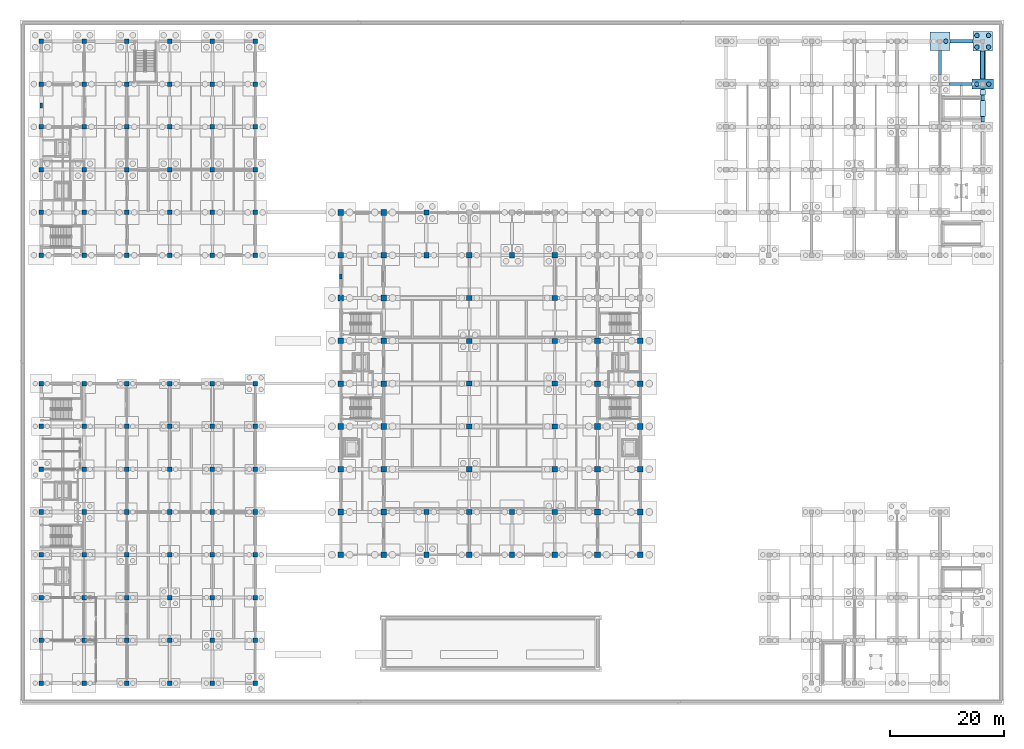
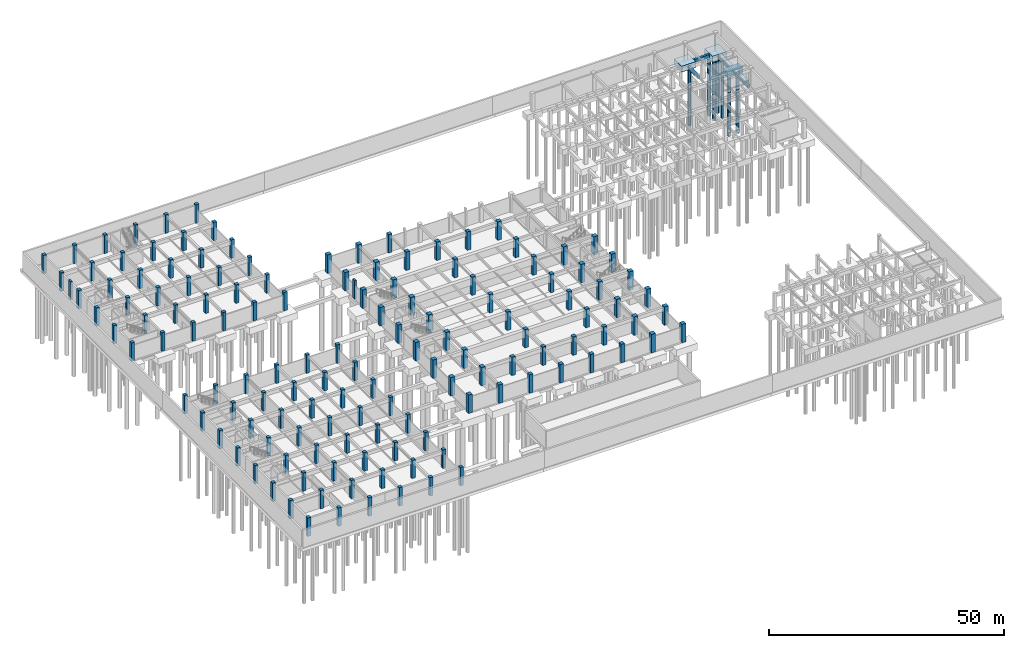
# One storey, part 13 of 38: 139 columns, 11 footings, 7 piles.
"""IFC4 building model written with IfcOpenShell, lengths in metres."""

from ifc_helpers import new_model, si_unit, direction, frame, origin, origin_2d, place, context, subcontext, project, spatial, polyline, rectangle, circle, outline, extrude, material, material_profile, profile_set, type_object, element, save


model = new_model("IFC4")

# Units and contexts
model_context = context("Model", 3, precision=1e-05, world=origin(), true_north=direction((0.0, 1.0)))
body_context = subcontext(model_context, "Body", "Model", "MODEL_VIEW")
ifc_project = project(units=[si_unit("LENGTHUNIT", "METRE"), si_unit("AREAUNIT", "SQUARE_METRE"), si_unit("VOLUMEUNIT", "CUBIC_METRE"), si_unit("PLANEANGLEUNIT", "RADIAN"), si_unit("MASSUNIT", "GRAM", prefix="KILO")], contexts=[model_context])

# Site, building, storey
site_placement = place(None, origin())
site = spatial("IfcSite", under=ifc_project, at=site_placement, CompositionType="ELEMENT")
building_placement = place(site_placement, origin())
building = spatial("IfcBuilding", under=site, at=building_placement, Name="Qasida Concert Hall", CompositionType="ELEMENT")
storey_placement = place(building_placement, frame((0.0, 0.0, -4.800048828125)))
storey = spatial("IfcBuildingStorey", under=building, at=storey_placement, Name="B1", CompositionType="ELEMENT", Elevation=-4.800048828125)

# Footings
ifc_material_1 = material(Name="Concrete C40/50", Category="concrete")
footing_type_1 = type_object("IfcFootingType", Name="FT-GB-1", PredefinedType="FOOTING_BEAM", material=ifc_material_1)
footing_1_placement = place(storey_placement, frame((0.0, 0.0, -1.169921875)))
element("IfcFooting", 1, at=footing_1_placement, inside=storey, type_object=footing_type_1, Name="Ground tie beam GB-1 172", PredefinedType="FOOTING_BEAM", context=body_context, shape_type="SweptSolid", body=[
    extrude(outline(polyline([(159.199951171875, 104.75), (163.10009765625, 104.75), (163.10009765625, 105.25), (159.199951171875, 105.25), (159.199951171875, 104.75)])), origin(), (0.0, 0.0, 1.0), 0.75),
])
footing_type_2 = type_object("IfcFootingType", Name="FT-GB-2", PredefinedType="FOOTING_BEAM", material=ifc_material_1)
footing_2_placement = place(storey_placement, frame((0.0, 0.0, -1.219970703125)))
element("IfcFooting", 2, at=footing_2_placement, inside=storey, type_object=footing_type_2, Name="Ground tie beam GB-2 361", PredefinedType="FOOTING_BEAM", context=body_context, shape_type="SweptSolid", body=[
    extrude(outline(polyline([(164.699951171875, 98.35009765625), (165.300048828125, 98.35009765625), (165.300048828125, 104.10009765625), (164.699951171875, 104.10009765625), (164.699951171875, 98.35009765625)])), origin(), (0.0, 0.0, 1.0), 0.800048828125),
])
footing_type_3 = type_object("IfcFootingType", Name="FT-GB-3", PredefinedType="FOOTING_BEAM", material=ifc_material_1)
footing_3_placement = place(storey_placement, frame((0.0, 0.0, -1.320068359375)))
element("IfcFooting", 3, at=footing_3_placement, inside=storey, type_object=footing_type_3, Name="Ground tie beam GB-3 362", PredefinedType="FOOTING_BEAM", context=body_context, shape_type="SweptSolid", body=[
    extrude(outline(polyline([(164.64990234375, 105.89990234375), (165.35009765625, 105.89990234375), (165.35009765625, 110.800048828125), (164.64990234375, 110.800048828125), (164.64990234375, 105.89990234375)])), origin(), (0.0, 0.0, 1.0), 0.900146484375),
])
footing_type_4 = type_object("IfcFootingType", Name="FT-GB-4", PredefinedType="FOOTING_BEAM", material=ifc_material_1)
footing_4_placement = place(storey_placement, frame((0.0, 0.0, -1.27001953125)))
element("IfcFooting", 4, at=footing_4_placement, inside=storey, type_object=footing_type_4, Name="Ground tie beam GB-4 183", PredefinedType="FOOTING_BEAM", context=body_context, shape_type="SweptSolid", body=[
    extrude(outline(polyline([(159.25, 112.22509765625), (163.300048828125, 112.22509765625), (163.300048828125, 112.77490234375), (159.25, 112.77490234375), (159.25, 112.22509765625)])), origin(), (0.0, 0.0, 1.0), 0.85009765625),
])
footing_5_placement = place(storey_placement, frame((0.0, 0.0, -1.27001953125)))
element("IfcFooting", 5, at=footing_5_placement, inside=storey, type_object=footing_type_4, Name="Ground tie beam GB-4 355", PredefinedType="FOOTING_BEAM", context=body_context, shape_type="SweptSolid", body=[
    extrude(outline(polyline([(157.22509765625, 106.699951171875), (157.77490234375, 106.699951171875), (157.77490234375, 110.89990234375), (157.22509765625, 110.89990234375), (157.22509765625, 106.699951171875)])), origin(), (0.0, 0.0, 1.0), 0.85009765625),
])
footing_type_5 = type_object("IfcFootingType", Name="FT-PC-2E", PredefinedType="PILE_CAP", material=ifc_material_1)
footing_6_placement = place(storey_placement, frame((165.0, 105.0, -1.5498046875), z_axis=(0.0, 0.0, 1.0), x_axis=(1.0, 0.0, 0.0)))
element("IfcFooting", 6, at=footing_6_placement, inside=storey, type_object=footing_type_5, Name="Pile cap PC-2E 177", PredefinedType="PILE_CAP", context=body_context, shape_type="SweptSolid", body=[
    extrude(rectangle(XDim=3.800048828125, YDim=1.800048828125, at=origin_2d()), origin(), (0.0, 0.0, 1.0), 1.550048828125),
])
footing_type_6 = type_object("IfcFootingType", Name="FT-PC-3B", PredefinedType="PILE_CAP", material=ifc_material_1)
footing_7_placement = place(storey_placement, frame((157.5, 112.5, -1.5498046875), z_axis=(0.0, 0.0, 1.0), x_axis=(1.0, 0.0, 0.0)))
element("IfcFooting", 7, at=footing_7_placement, inside=storey, type_object=footing_type_6, Name="Pile cap PC-3B 172", PredefinedType="PILE_CAP", context=body_context, shape_type="SweptSolid", body=[
    extrude(rectangle(XDim=3.5, YDim=3.199951171875, at=origin_2d()), origin(), (0.0, 0.0, 1.0), 1.550048828125),
])
footing_type_7 = type_object("IfcFootingType", Name="FT-PC-4B", PredefinedType="PILE_CAP", material=ifc_material_1)
footing_8_placement = place(storey_placement, frame((165.0, 112.5, -1.60009765625), z_axis=(0.0, 0.0, 1.0), x_axis=(1.0, 0.0, 0.0)))
element("IfcFooting", 8, at=footing_8_placement, inside=storey, type_object=footing_type_7, Name="Pile cap PC-4B 178", PredefinedType="PILE_CAP", context=body_context, shape_type="SweptSolid", body=[
    extrude(rectangle(XDim=3.39990234375, YDim=3.39990234375, at=origin_2d()), origin(), (0.0, 0.0, 1.0), 1.60009765625),
])
footing_type_8 = type_object("IfcFootingType", Name="FT-SF-1A", PredefinedType="STRIP_FOOTING", material=ifc_material_1)
footing_9_placement = place(storey_placement, frame((0.0, 0.0, -0.419921875)))
element("IfcFooting", 9, at=footing_9_placement, inside=storey, type_object=footing_type_8, Name="Strip footing SF-1A RW011-B", PredefinedType="STRIP_FOOTING", context=body_context, shape_type="SweptSolid", body=[
    extrude(outline(polyline([(164.550048828125, 99.35009765625), (165.449951171875, 99.35009765625), (165.449951171875, 102.14990234375), (164.550048828125, 102.14990234375), (164.550048828125, 99.35009765625)])), origin(), (0.0, 0.0, 1.0), 0.419921875),
])
footing_10_placement = place(storey_placement, frame((0.0, 0.0, -0.419921875)))
element("IfcFooting", 10, at=footing_10_placement, inside=storey, type_object=footing_type_8, Name="Strip footing SF-1A RW011-C", PredefinedType="STRIP_FOOTING", context=body_context, shape_type="SweptSolid", body=[
    extrude(outline(polyline([(164.550048828125, 103.10009765625), (165.449951171875, 103.10009765625), (165.449951171875, 104.080078125), (164.550048828125, 104.080078125), (164.550048828125, 103.10009765625)])), origin(), (0.0, 0.0, 1.0), 0.419921875),
])
footing_11_placement = place(storey_placement, frame((0.0, 0.0, -0.419921875)))
element("IfcFooting", 11, at=footing_11_placement, inside=storey, type_object=footing_type_8, Name="Strip footing SF-1A RW011-D", PredefinedType="STRIP_FOOTING", context=body_context, shape_type="SweptSolid", body=[
    extrude(outline(polyline([(164.550048828125, 105.919921875), (165.449951171875, 105.919921875), (165.449951171875, 110.780029296875), (164.550048828125, 110.780029296875), (164.550048828125, 105.919921875)])), origin(), (0.0, 0.0, 1.0), 0.419921875),
])

# Piles
ifc_material_profile_1 = material_profile(ifc_material_1, circle(Radius=0.39990234375, at=origin_2d()), Name="BORED PILE D800")
ifc_profile_set_1 = profile_set([ifc_material_profile_1], Name="Concrete C40/50")
pile_type = type_object("IfcPileType", Name="PL-BORED-800", PredefinedType="BORED", material=ifc_profile_set_1)
for number, where, z_axis, x_axis, name in (
    (12, (158.550048828125, 112.5, -1.449951171875), (0.0, 0.0, -1.0), (1.0, 0.0, 0.0), "Bored pile 0394"),
    (13, (163.949951171875, 105.0, -1.449951171875), (0.0, 0.0, -1.0), (1.0, 0.0, 0.0), "Bored pile 0403"),
    (14, (166.050048828125, 105.0, -1.449951171875), (0.0, 0.0, -1.0), (1.0, 0.0, 0.0), "Bored pile 0404"),
):
    element("IfcPile", number, at=place(storey_placement, frame(where, z_axis=z_axis, x_axis=x_axis)), inside=storey, type_object=pile_type, Name=name, PredefinedType="BORED", context=body_context, shape_type="SweptSolid", body=[
        extrude(circle(Radius=0.39990234375, at=origin_2d()), origin(), (0.0, 0.0, 1.0), 15.75),
    ])
for number, where, z_axis, x_axis, name in (
    (15, (163.97998046875, 111.47998046875, -1.5), (0.0, 0.0, -1.0), (1.0, 0.0, 0.0), "Bored pile 0405"),
    (16, (166.02001953125, 111.47998046875, -1.5), (0.0, 0.0, -1.0), (1.0, 0.0, 0.0), "Bored pile 0406"),
    (17, (163.97998046875, 113.52001953125, -1.5), (0.0, 0.0, -1.0), (1.0, 0.0, 0.0), "Bored pile 0407"),
    (18, (166.02001953125, 113.52001953125, -1.5), (0.0, 0.0, -1.0), (1.0, 0.0, 0.0), "Bored pile 0408"),
):
    element("IfcPile", number, at=place(storey_placement, frame(where, z_axis=z_axis, x_axis=x_axis)), inside=storey, type_object=pile_type, Name=name, PredefinedType="BORED", context=body_context, shape_type="SweptSolid", body=[
        extrude(circle(Radius=0.39990234375, at=origin_2d()), origin(), (0.0, 0.0, 1.0), 15.699951171875),
    ])

# Columns
ifc_material_2 = material(Name="Concrete C50/60", Category="concrete")
ifc_material_profile_2 = material_profile(ifc_material_2, rectangle(XDim=1.0, YDim=1.0, at=origin_2d()), Name="RC 1000x1000")
ifc_profile_set_2 = profile_set([ifc_material_profile_2], Name="Concrete C50/60")
column_type_1 = type_object("IfcColumnType", Name="COL-C-101", PredefinedType="COLUMN", material=ifc_profile_set_2)
for number, where, z_axis, x_axis, name in (
    (19, (52.5, 22.5, 0.0), (0.0, 0.0, 1.0), (1.0, 0.0, 0.0), "B1 column C-101 (V1)"),
    (20, (52.5, 30.0, 0.0), (0.0, 0.0, 1.0), (1.0, 0.0, 0.0), "B1 column C-101 (V1)"),
    (21, (52.5, 37.5, 0.0), (0.0, 0.0, 1.0), (1.0, 0.0, 0.0), "B1 column C-101 (V1)"),
    (22, (52.5, 45.0, 0.0), (0.0, 0.0, 1.0), (1.0, 0.0, 0.0), "B1 column C-101 (V1)"),
    (23, (52.5, 52.5, 0.0), (0.0, 0.0, 1.0), (1.0, 0.0, 0.0), "B1 column C-101 (V1)"),
    (24, (52.5, 60.0, 0.0), (0.0, 0.0, 1.0), (1.0, 0.0, 0.0), "B1 column C-101 (V1)"),
    (25, (52.5, 67.5, 0.0), (0.0, 0.0, 1.0), (1.0, 0.0, 0.0), "B1 column C-101 (V1)"),
    (26, (52.5, 75.0, 0.0), (0.0, 0.0, 1.0), (1.0, 0.0, 0.0), "B1 column C-101 (V1)"),
    (27, (52.5, 82.5, 0.0), (0.0, 0.0, 1.0), (1.0, 0.0, 0.0), "B1 column C-101 (V1)"),
    (28, (60.0, 22.5, 0.0), (0.0, 0.0, 1.0), (1.0, 0.0, 0.0), "B1 column C-101 (V1)"),
    (29, (60.0, 30.0, 0.0), (0.0, 0.0, 1.0), (1.0, 0.0, 0.0), "B1 column C-101 (V1)"),
    (30, (60.0, 37.5, 0.0), (0.0, 0.0, 1.0), (1.0, 0.0, 0.0), "B1 column C-101 (V1)"),
    (31, (60.0, 45.0, 0.0), (0.0, 0.0, 1.0), (1.0, 0.0, 0.0), "B1 column C-101 (V1)"),
    (32, (60.0, 52.5, 0.0), (0.0, 0.0, 1.0), (1.0, 0.0, 0.0), "B1 column C-101 (V1)"),
    (33, (60.0, 60.0, 0.0), (0.0, 0.0, 1.0), (1.0, 0.0, 0.0), "B1 column C-101 (V1)"),
    (34, (60.0, 67.5, 0.0), (0.0, 0.0, 1.0), (1.0, 0.0, 0.0), "B1 column C-101 (V1)"),
    (35, (60.0, 75.0, 0.0), (0.0, 0.0, 1.0), (1.0, 0.0, 0.0), "B1 column C-101 (V1)"),
    (36, (60.0, 82.5, 0.0), (0.0, 0.0, 1.0), (1.0, 0.0, 0.0), "B1 column C-101 (V1)"),
    (37, (97.5, 22.5, 0.0), (0.0, 0.0, 1.0), (1.0, 0.0, 0.0), "B1 column C-101 (V1)"),
    (38, (97.5, 30.0, 0.0), (0.0, 0.0, 1.0), (1.0, 0.0, 0.0), "B1 column C-101 (V1)"),
    (39, (97.5, 37.5, 0.0), (0.0, 0.0, 1.0), (1.0, 0.0, 0.0), "B1 column C-101 (V1)"),
    (40, (97.5, 45.0, 0.0), (0.0, 0.0, 1.0), (1.0, 0.0, 0.0), "B1 column C-101 (V1)"),
    (41, (97.5, 52.5, 0.0), (0.0, 0.0, 1.0), (1.0, 0.0, 0.0), "B1 column C-101 (V1)"),
    (42, (97.5, 60.0, 0.0), (0.0, 0.0, 1.0), (1.0, 0.0, 0.0), "B1 column C-101 (V1)"),
    (43, (105.0, 22.5, 0.0), (0.0, 0.0, 1.0), (1.0, 0.0, 0.0), "B1 column C-101 (V1)"),
    (44, (105.0, 30.0, 0.0), (0.0, 0.0, 1.0), (1.0, 0.0, 0.0), "B1 column C-101 (V1)"),
    (45, (105.0, 37.5, 0.0), (0.0, 0.0, 1.0), (1.0, 0.0, 0.0), "B1 column C-101 (V1)"),
    (46, (105.0, 45.0, 0.0), (0.0, 0.0, 1.0), (1.0, 0.0, 0.0), "B1 column C-101 (V1)"),
    (47, (105.0, 52.5, 0.0), (0.0, 0.0, 1.0), (1.0, 0.0, 0.0), "B1 column C-101 (V1)"),
    (48, (105.0, 60.0, 0.0), (0.0, 0.0, 1.0), (1.0, 0.0, 0.0), "B1 column C-101 (V1)"),
):
    element("IfcColumn", number, at=place(storey_placement, frame(where, z_axis=z_axis, x_axis=x_axis)), inside=storey, type_object=column_type_1, Name=name, PredefinedType="COLUMN", context=body_context, shape_type="SweptSolid", body=[
        extrude(rectangle(XDim=1.0, YDim=1.0, at=origin_2d()), origin(), (0.0, 0.0, 1.0), 4.800048828125),
    ])
ifc_material_profile_3 = material_profile(ifc_material_2, rectangle(XDim=0.89990234375, YDim=0.89990234375, at=origin_2d()), Name="RC 900x900")
ifc_profile_set_3 = profile_set([ifc_material_profile_3], Name="Concrete C50/60")
column_type_2 = type_object("IfcColumnType", Name="COL-C-102", PredefinedType="COLUMN", material=ifc_profile_set_3)
for number, where, z_axis, x_axis, name in (
    (49, (67.5, 22.5, 0.0), (0.0, 0.0, 1.0), (1.0, 0.0, 0.0), "B1 column C-102 (V1)"),
    (50, (67.5, 30.0, 0.0), (0.0, 0.0, 1.0), (1.0, 0.0, 0.0), "B1 column C-102 (V1)"),
    (51, (67.5, 75.0, 0.0), (0.0, 0.0, 1.0), (1.0, 0.0, 0.0), "B1 column C-102 (V1)"),
    (52, (67.5, 82.5, 0.0), (0.0, 0.0, 1.0), (1.0, 0.0, 0.0), "B1 column C-102 (V1)"),
    (53, (75.0, 22.5, 0.0), (0.0, 0.0, 1.0), (1.0, 0.0, 0.0), "B1 column C-102 (V1)"),
    (54, (75.0, 30.0, 0.0), (0.0, 0.0, 1.0), (1.0, 0.0, 0.0), "B1 column C-102 (V1)"),
    (55, (75.0, 37.5, 0.0), (0.0, 0.0, 1.0), (1.0, 0.0, 0.0), "B1 column C-102 (V1)"),
    (56, (75.0, 45.0, 0.0), (0.0, 0.0, 1.0), (1.0, 0.0, 0.0), "B1 column C-102 (V1)"),
    (57, (75.0, 52.5, 0.0), (0.0, 0.0, 1.0), (1.0, 0.0, 0.0), "B1 column C-102 (V1)"),
    (58, (75.0, 60.0, 0.0), (0.0, 0.0, 1.0), (1.0, 0.0, 0.0), "B1 column C-102 (V1)"),
    (59, (75.0, 67.5, 0.0), (0.0, 0.0, 1.0), (1.0, 0.0, 0.0), "B1 column C-102 (V1)"),
    (60, (75.0, 75.0, 0.0), (0.0, 0.0, 1.0), (1.0, 0.0, 0.0), "B1 column C-102 (V1)"),
    (61, (82.5, 22.5, 0.0), (0.0, 0.0, 1.0), (1.0, 0.0, 0.0), "B1 column C-102 (V1)"),
    (62, (82.5, 30.0, 0.0), (0.0, 0.0, 1.0), (1.0, 0.0, 0.0), "B1 column C-102 (V1)"),
    (63, (82.5, 75.0, 0.0), (0.0, 0.0, 1.0), (1.0, 0.0, 0.0), "B1 column C-102 (V1)"),
    (64, (90.0, 22.5, 0.0), (0.0, 0.0, 1.0), (1.0, 0.0, 0.0), "B1 column C-102 (V1)"),
    (65, (90.0, 30.0, 0.0), (0.0, 0.0, 1.0), (1.0, 0.0, 0.0), "B1 column C-102 (V1)"),
    (66, (90.0, 37.5, 0.0), (0.0, 0.0, 1.0), (1.0, 0.0, 0.0), "B1 column C-102 (V1)"),
    (67, (90.0, 45.0, 0.0), (0.0, 0.0, 1.0), (1.0, 0.0, 0.0), "B1 column C-102 (V1)"),
    (68, (90.0, 52.5, 0.0), (0.0, 0.0, 1.0), (1.0, 0.0, 0.0), "B1 column C-102 (V1)"),
    (69, (90.0, 60.0, 0.0), (0.0, 0.0, 1.0), (1.0, 0.0, 0.0), "B1 column C-102 (V1)"),
    (70, (90.0, 67.5, 0.0), (0.0, 0.0, 1.0), (1.0, 0.0, 0.0), "B1 column C-102 (V1)"),
    (71, (90.0, 75.0, 0.0), (0.0, 0.0, 1.0), (1.0, 0.0, 0.0), "B1 column C-102 (V1)"),
):
    element("IfcColumn", number, at=place(storey_placement, frame(where, z_axis=z_axis, x_axis=x_axis)), inside=storey, type_object=column_type_2, Name=name, PredefinedType="COLUMN", context=body_context, shape_type="SweptSolid", body=[
        extrude(rectangle(XDim=0.89990234375, YDim=0.89990234375, at=origin_2d()), origin(), (0.0, 0.0, 1.0), 4.800048828125),
    ])
ifc_material_profile_4 = material_profile(ifc_material_2, rectangle(XDim=0.800048828125, YDim=0.800048828125, at=origin_2d()), Name="RC 800x800")
ifc_profile_set_4 = profile_set([ifc_material_profile_4], Name="Concrete C50/60")
column_type_3 = type_object("IfcColumnType", Name="COL-C-103", PredefinedType="COLUMN", material=ifc_profile_set_4)
for number, where, z_axis, x_axis, name in (
    (72, (0.0, 0.0, 0.0), (0.0, 0.0, 1.0), (1.0, 0.0, 0.0), "B1 column C-103 (V3)"),
    (73, (0.0, 7.5, 0.0), (0.0, 0.0, 1.0), (1.0, 0.0, 0.0), "B1 column C-103 (V3)"),
    (74, (0.0, 15.0, 0.0), (0.0, 0.0, 1.0), (1.0, 0.0, 0.0), "B1 column C-103 (V3)"),
    (75, (0.0, 22.5, 0.0), (0.0, 0.0, 1.0), (1.0, 0.0, 0.0), "B1 column C-103 (V3)"),
    (76, (0.0, 30.0, 0.0), (0.0, 0.0, 1.0), (1.0, 0.0, 0.0), "B1 column C-103 (V3)"),
    (77, (0.0, 37.5, 0.0), (0.0, 0.0, 1.0), (1.0, 0.0, 0.0), "B1 column C-103 (V3)"),
    (78, (0.0, 45.0, 0.0), (0.0, 0.0, 1.0), (1.0, 0.0, 0.0), "B1 column C-103 (V3)"),
    (79, (0.0, 52.5, 0.0), (0.0, 0.0, 1.0), (1.0, 0.0, 0.0), "B1 column C-103 (V3)"),
    (80, (7.5, 0.0, 0.0), (0.0, 0.0, 1.0), (1.0, 0.0, 0.0), "B1 column C-103 (V3)"),
    (81, (7.5, 7.5, 0.0), (0.0, 0.0, 1.0), (1.0, 0.0, 0.0), "B1 column C-103 (V3)"),
    (82, (7.5, 15.0, 0.0), (0.0, 0.0, 1.0), (1.0, 0.0, 0.0), "B1 column C-103 (V3)"),
    (83, (7.5, 22.5, 0.0), (0.0, 0.0, 1.0), (1.0, 0.0, 0.0), "B1 column C-103 (V3)"),
    (84, (7.5, 30.0, 0.0), (0.0, 0.0, 1.0), (1.0, 0.0, 0.0), "B1 column C-103 (V3)"),
    (85, (7.5, 37.5, 0.0), (0.0, 0.0, 1.0), (1.0, 0.0, 0.0), "B1 column C-103 (V3)"),
    (86, (7.5, 45.0, 0.0), (0.0, 0.0, 1.0), (1.0, 0.0, 0.0), "B1 column C-103 (V3)"),
    (87, (7.5, 52.5, 0.0), (0.0, 0.0, 1.0), (1.0, 0.0, 0.0), "B1 column C-103 (V3)"),
    (88, (15.0, 0.0, 0.0), (0.0, 0.0, 1.0), (1.0, 0.0, 0.0), "B1 column C-103 (V3)"),
    (89, (15.0, 7.5, 0.0), (0.0, 0.0, 1.0), (1.0, 0.0, 0.0), "B1 column C-103 (V3)"),
    (90, (15.0, 15.0, 0.0), (0.0, 0.0, 1.0), (1.0, 0.0, 0.0), "B1 column C-103 (V3)"),
    (91, (15.0, 22.5, 0.0), (0.0, 0.0, 1.0), (1.0, 0.0, 0.0), "B1 column C-103 (V3)"),
    (92, (15.0, 30.0, 0.0), (0.0, 0.0, 1.0), (1.0, 0.0, 0.0), "B1 column C-103 (V3)"),
    (93, (15.0, 37.5, 0.0), (0.0, 0.0, 1.0), (1.0, 0.0, 0.0), "B1 column C-103 (V3)"),
    (94, (15.0, 45.0, 0.0), (0.0, 0.0, 1.0), (1.0, 0.0, 0.0), "B1 column C-103 (V3)"),
    (95, (15.0, 52.5, 0.0), (0.0, 0.0, 1.0), (1.0, 0.0, 0.0), "B1 column C-103 (V3)"),
    (96, (22.5, 0.0, 0.0), (0.0, 0.0, 1.0), (1.0, 0.0, 0.0), "B1 column C-103 (V3)"),
    (97, (22.5, 7.5, 0.0), (0.0, 0.0, 1.0), (1.0, 0.0, 0.0), "B1 column C-103 (V3)"),
    (98, (22.5, 15.0, 0.0), (0.0, 0.0, 1.0), (1.0, 0.0, 0.0), "B1 column C-103 (V3)"),
    (99, (22.5, 22.5, 0.0), (0.0, 0.0, 1.0), (1.0, 0.0, 0.0), "B1 column C-103 (V3)"),
    (100, (22.5, 30.0, 0.0), (0.0, 0.0, 1.0), (1.0, 0.0, 0.0), "B1 column C-103 (V3)"),
    (101, (22.5, 37.5, 0.0), (0.0, 0.0, 1.0), (1.0, 0.0, 0.0), "B1 column C-103 (V3)"),
    (102, (22.5, 45.0, 0.0), (0.0, 0.0, 1.0), (1.0, 0.0, 0.0), "B1 column C-103 (V3)"),
    (103, (22.5, 52.5, 0.0), (0.0, 0.0, 1.0), (1.0, 0.0, 0.0), "B1 column C-103 (V3)"),
    (104, (30.0, 0.0, 0.0), (0.0, 0.0, 1.0), (1.0, 0.0, 0.0), "B1 column C-103 (V3)"),
    (105, (30.0, 7.5, 0.0), (0.0, 0.0, 1.0), (1.0, 0.0, 0.0), "B1 column C-103 (V3)"),
    (106, (30.0, 15.0, 0.0), (0.0, 0.0, 1.0), (1.0, 0.0, 0.0), "B1 column C-103 (V3)"),
    (107, (30.0, 22.5, 0.0), (0.0, 0.0, 1.0), (1.0, 0.0, 0.0), "B1 column C-103 (V3)"),
    (108, (30.0, 30.0, 0.0), (0.0, 0.0, 1.0), (1.0, 0.0, 0.0), "B1 column C-103 (V3)"),
    (109, (30.0, 37.5, 0.0), (0.0, 0.0, 1.0), (1.0, 0.0, 0.0), "B1 column C-103 (V3)"),
    (110, (30.0, 45.0, 0.0), (0.0, 0.0, 1.0), (1.0, 0.0, 0.0), "B1 column C-103 (V3)"),
    (111, (30.0, 52.5, 0.0), (0.0, 0.0, 1.0), (1.0, 0.0, 0.0), "B1 column C-103 (V3)"),
    (112, (37.5, 0.0, 0.0), (0.0, 0.0, 1.0), (1.0, 0.0, 0.0), "B1 column C-103 (V3)"),
    (113, (37.5, 7.5, 0.0), (0.0, 0.0, 1.0), (1.0, 0.0, 0.0), "B1 column C-103 (V3)"),
    (114, (37.5, 15.0, 0.0), (0.0, 0.0, 1.0), (1.0, 0.0, 0.0), "B1 column C-103 (V3)"),
    (115, (37.5, 22.5, 0.0), (0.0, 0.0, 1.0), (1.0, 0.0, 0.0), "B1 column C-103 (V3)"),
    (116, (37.5, 30.0, 0.0), (0.0, 0.0, 1.0), (1.0, 0.0, 0.0), "B1 column C-103 (V3)"),
    (117, (37.5, 37.5, 0.0), (0.0, 0.0, 1.0), (1.0, 0.0, 0.0), "B1 column C-103 (V3)"),
    (118, (37.5, 45.0, 0.0), (0.0, 0.0, 1.0), (1.0, 0.0, 0.0), "B1 column C-103 (V3)"),
    (119, (37.5, 52.5, 0.0), (0.0, 0.0, 1.0), (1.0, 0.0, 0.0), "B1 column C-103 (V3)"),
    (120, (0.0, 75.0, 0.0), (0.0, 0.0, 1.0), (1.0, 0.0, 0.0), "B1 column C-103 (V5)"),
    (121, (0.0, 82.5, 0.0), (0.0, 0.0, 1.0), (1.0, 0.0, 0.0), "B1 column C-103 (V5)"),
    (122, (0.0, 90.0, 0.0), (0.0, 0.0, 1.0), (1.0, 0.0, 0.0), "B1 column C-103 (V5)"),
    (123, (0.0, 97.5, 0.0), (0.0, 0.0, 1.0), (1.0, 0.0, 0.0), "B1 column C-103 (V5)"),
    (124, (0.0, 105.0, 0.0), (0.0, 0.0, 1.0), (1.0, 0.0, 0.0), "B1 column C-103 (V5)"),
    (125, (0.0, 112.5, 0.0), (0.0, 0.0, 1.0), (1.0, 0.0, 0.0), "B1 column C-103 (V5)"),
    (126, (7.5, 75.0, 0.0), (0.0, 0.0, 1.0), (1.0, 0.0, 0.0), "B1 column C-103 (V5)"),
    (127, (7.5, 82.5, 0.0), (0.0, 0.0, 1.0), (1.0, 0.0, 0.0), "B1 column C-103 (V5)"),
    (128, (7.5, 90.0, 0.0), (0.0, 0.0, 1.0), (1.0, 0.0, 0.0), "B1 column C-103 (V5)"),
    (129, (7.5, 97.5, 0.0), (0.0, 0.0, 1.0), (1.0, 0.0, 0.0), "B1 column C-103 (V5)"),
    (130, (7.5, 105.0, 0.0), (0.0, 0.0, 1.0), (1.0, 0.0, 0.0), "B1 column C-103 (V5)"),
    (131, (7.5, 112.5, 0.0), (0.0, 0.0, 1.0), (1.0, 0.0, 0.0), "B1 column C-103 (V5)"),
    (132, (15.0, 75.0, 0.0), (0.0, 0.0, 1.0), (1.0, 0.0, 0.0), "B1 column C-103 (V5)"),
    (133, (15.0, 82.5, 0.0), (0.0, 0.0, 1.0), (1.0, 0.0, 0.0), "B1 column C-103 (V5)"),
    (134, (15.0, 90.0, 0.0), (0.0, 0.0, 1.0), (1.0, 0.0, 0.0), "B1 column C-103 (V5)"),
    (135, (15.0, 97.5, 0.0), (0.0, 0.0, 1.0), (1.0, 0.0, 0.0), "B1 column C-103 (V5)"),
    (136, (15.0, 105.0, 0.0), (0.0, 0.0, 1.0), (1.0, 0.0, 0.0), "B1 column C-103 (V5)"),
    (137, (15.0, 112.5, 0.0), (0.0, 0.0, 1.0), (1.0, 0.0, 0.0), "B1 column C-103 (V5)"),
    (138, (22.5, 75.0, 0.0), (0.0, 0.0, 1.0), (1.0, 0.0, 0.0), "B1 column C-103 (V5)"),
    (139, (22.5, 82.5, 0.0), (0.0, 0.0, 1.0), (1.0, 0.0, 0.0), "B1 column C-103 (V5)"),
    (140, (22.5, 90.0, 0.0), (0.0, 0.0, 1.0), (1.0, 0.0, 0.0), "B1 column C-103 (V5)"),
    (141, (22.5, 97.5, 0.0), (0.0, 0.0, 1.0), (1.0, 0.0, 0.0), "B1 column C-103 (V5)"),
    (142, (22.5, 105.0, 0.0), (0.0, 0.0, 1.0), (1.0, 0.0, 0.0), "B1 column C-103 (V5)"),
    (143, (22.5, 112.5, 0.0), (0.0, 0.0, 1.0), (1.0, 0.0, 0.0), "B1 column C-103 (V5)"),
    (144, (30.0, 75.0, 0.0), (0.0, 0.0, 1.0), (1.0, 0.0, 0.0), "B1 column C-103 (V5)"),
    (145, (30.0, 82.5, 0.0), (0.0, 0.0, 1.0), (1.0, 0.0, 0.0), "B1 column C-103 (V5)"),
    (146, (30.0, 90.0, 0.0), (0.0, 0.0, 1.0), (1.0, 0.0, 0.0), "B1 column C-103 (V5)"),
    (147, (30.0, 97.5, 0.0), (0.0, 0.0, 1.0), (1.0, 0.0, 0.0), "B1 column C-103 (V5)"),
    (148, (30.0, 105.0, 0.0), (0.0, 0.0, 1.0), (1.0, 0.0, 0.0), "B1 column C-103 (V5)"),
    (149, (30.0, 112.5, 0.0), (0.0, 0.0, 1.0), (1.0, 0.0, 0.0), "B1 column C-103 (V5)"),
    (150, (37.5, 75.0, 0.0), (0.0, 0.0, 1.0), (1.0, 0.0, 0.0), "B1 column C-103 (V5)"),
    (151, (37.5, 82.5, 0.0), (0.0, 0.0, 1.0), (1.0, 0.0, 0.0), "B1 column C-103 (V5)"),
    (152, (37.5, 90.0, 0.0), (0.0, 0.0, 1.0), (1.0, 0.0, 0.0), "B1 column C-103 (V5)"),
    (153, (37.5, 97.5, 0.0), (0.0, 0.0, 1.0), (1.0, 0.0, 0.0), "B1 column C-103 (V5)"),
    (154, (37.5, 105.0, 0.0), (0.0, 0.0, 1.0), (1.0, 0.0, 0.0), "B1 column C-103 (V5)"),
    (155, (37.5, 112.5, 0.0), (0.0, 0.0, 1.0), (1.0, 0.0, 0.0), "B1 column C-103 (V5)"),
):
    element("IfcColumn", number, at=place(storey_placement, frame(where, z_axis=z_axis, x_axis=x_axis)), inside=storey, type_object=column_type_3, Name=name, PredefinedType="COLUMN", context=body_context, shape_type="SweptSolid", body=[
        extrude(rectangle(XDim=0.800048828125, YDim=0.800048828125, at=origin_2d()), origin(), (0.0, 0.0, 1.0), 4.800048828125),
    ])
ifc_material_profile_5 = material_profile(ifc_material_2, rectangle(XDim=0.449951171875, YDim=0.85009765625, at=origin_2d()), Name="RC 450x850")
ifc_profile_set_5 = profile_set([ifc_material_profile_5], Name="Concrete C50/60")
column_type_4 = type_object("IfcColumnType", Name="COL-PL-201", PredefinedType="PILASTER", material=ifc_profile_set_5)
for number, where, z_axis, x_axis, name in (
    (156, (0.0, 101.25, 0.0), (0.0, 0.0, 1.0), (1.0, 0.0, 0.0), "B1 Art Deco pilaster PL-201"),
    (157, (52.5, 71.25, 0.0), (0.0, 0.0, 1.0), (1.0, 0.0, 0.0), "B1 Art Deco pilaster PL-201"),
):
    element("IfcColumn", number, at=place(storey_placement, frame(where, z_axis=z_axis, x_axis=x_axis)), inside=storey, type_object=column_type_4, Name=name, PredefinedType="PILASTER", context=body_context, shape_type="SweptSolid", body=[
        extrude(rectangle(XDim=0.449951171875, YDim=0.85009765625, at=origin_2d()), origin(), (0.0, 0.0, 1.0), 4.800048828125),
    ])

save(model, "model.ifc")
